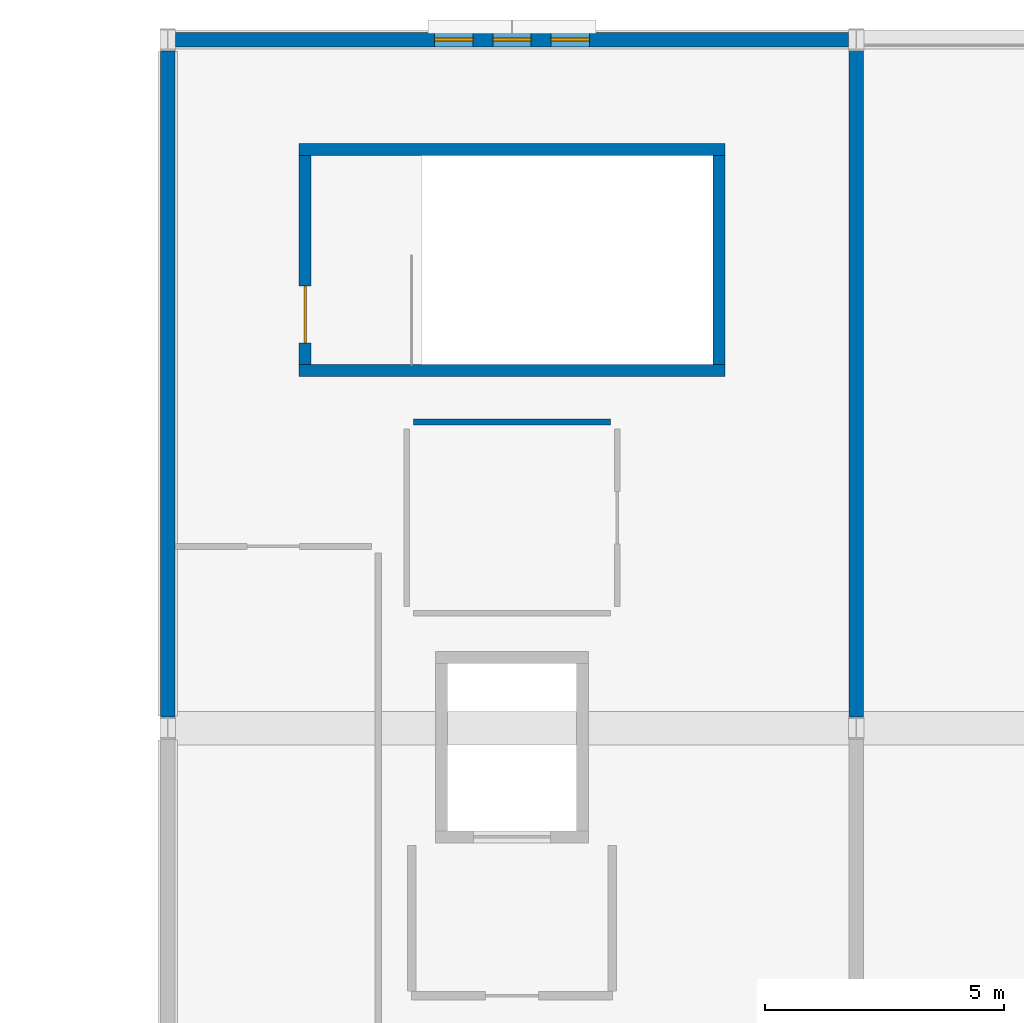
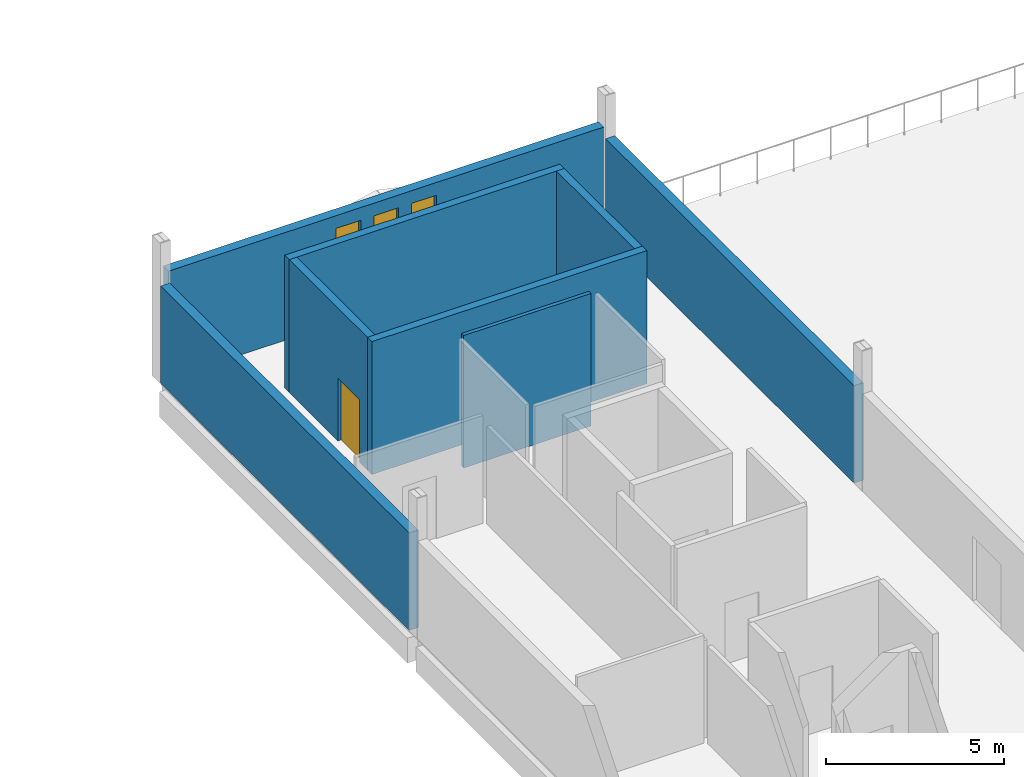
# One storey, part 97 of 116: 8 walls, 3 windows, 1 door, 4 openings.
"""IFC4 building model written with IfcOpenShell, lengths in metres."""

from ifc_helpers import new_model, si_unit, direction, frame, frame_2d, origin, place, context, subcontext, project, spatial, rectangle, extrude, material, layer, layer_set, type_object, element, fill, save


model = new_model("IFC4")

# Units and contexts
model_context = context("Model", 3, precision=1e-05, world=origin(), true_north=direction((0.0, 1.0)))
body_context = subcontext(model_context, "Body", "Model", "MODEL_VIEW")
ifc_project = project(units=[si_unit("LENGTHUNIT", "METRE"), si_unit("AREAUNIT", "SQUARE_METRE"), si_unit("VOLUMEUNIT", "CUBIC_METRE"), si_unit("PLANEANGLEUNIT", "RADIAN"), si_unit("MASSUNIT", "GRAM", prefix="KILO")], contexts=[model_context])

# Site, building, storey
site_placement = place(None, origin())
site = spatial("IfcSite", under=ifc_project, at=site_placement, CompositionType="ELEMENT")
building_placement = place(site_placement, origin())
building = spatial("IfcBuilding", under=site, at=building_placement, Name="Cendralis Lancet Convention Centre", CompositionType="ELEMENT")
storey_placement = place(building_placement, frame((0.0, 0.0, 15.0)))
storey = spatial("IfcBuildingStorey", under=building, at=storey_placement, Name="L03", CompositionType="ELEMENT", Elevation=15.0)

# Wall, openings, windows
ifc_material_1 = material(Name="Buff sandstone ashlar and Concrete G40 (C40/50)", Category="masonry")
ifc_layer_1 = layer(ifc_material_1, 0.300048828125, Name="Buff sandstone ashlar and Concrete G40 (C40/50)")
ifc_layer_set_1 = layer_set([ifc_layer_1], Name="Buff sandstone ashlar and Concrete G40 (C40/50)")
wall_type_1 = type_object("IfcWallType", Name="ARC-EW-W300", PredefinedType="STANDARD", material=ifc_layer_set_1)
wall_1_placement = place(storey_placement, frame((124.9580078125, 136.800048828125, 0.0), z_axis=(0.0, 0.0, 1.0), x_axis=(1.0, 0.0, 0.0)))
wall_1 = element("IfcWall", 1, at=wall_1_placement, inside=storey, type_object=wall_type_1, Name="L03 V3 Exterior Wall EW-07 #0169", PredefinedType="STANDARD", context=body_context, shape_type="SweptSolid", body=[
    extrude(rectangle(XDim=14.083984375, YDim=0.300048828125, at=frame_2d((7.0419921875, 0.0))), origin(), (0.0, 0.0, 1.0), 3.68505859375),
])
opening_1_placement = place(wall_1_placement, frame((5.422119140625, 0.0, 0.5)))
opening_1 = element("IfcOpeningElement", 2, at=opening_1_placement, cuts=wall_1, Name="Opening WN-07", PredefinedType="OPENING", context=body_context, shape_type="SweptSolid", body=[
    extrude(rectangle(XDim=0.800048828125, YDim=2.75, at=frame_2d((0.39990234375, 1.375))), frame((0.0, 0.159912109375, 0.0), z_axis=(0.0, -1.0, 0.0), x_axis=(1.0, 0.0, 0.0)), (0.0, 0.0, 1.0), 0.320068359375),
])
opening_2_placement = place(wall_1_placement, frame((6.64208984375, 0.0, 0.5)))
opening_2 = element("IfcOpeningElement", 3, at=opening_2_placement, cuts=wall_1, Name="Opening WN-07", PredefinedType="OPENING", context=body_context, shape_type="SweptSolid", body=[
    extrude(rectangle(XDim=0.800048828125, YDim=2.75, at=frame_2d((0.39990234375, 1.375))), frame((0.0, 0.159912109375, 0.0), z_axis=(0.0, -1.0, 0.0), x_axis=(1.0, 0.0, 0.0)), (0.0, 0.0, 1.0), 0.320068359375),
])
opening_3_placement = place(wall_1_placement, frame((7.862060546875, 0.0, 0.5)))
opening_3 = element("IfcOpeningElement", 4, at=opening_3_placement, cuts=wall_1, Name="Opening WN-07", PredefinedType="OPENING", context=body_context, shape_type="SweptSolid", body=[
    extrude(rectangle(XDim=0.800048828125, YDim=2.75, at=frame_2d((0.39990234375, 1.375))), frame((0.0, 0.159912109375, 0.0), z_axis=(0.0, -1.0, 0.0), x_axis=(1.0, 0.0, 0.0)), (0.0, 0.0, 1.0), 0.320068359375),
])
ifc_material_2 = material(Name="Double-glazed low-E solar-control glass", Category="glass")
window_type = type_object("IfcWindowType", Name="ARC-WN-LW07", PartitioningType="SINGLE_PANEL", PredefinedType="WINDOW", material=ifc_material_2)
window_1_placement = place(opening_1_placement, origin())
window_1 = element("IfcWindow", 5, at=window_1_placement, inside=storey, type_object=window_type, Name="Gothic Lancet Window WN-07 #0341", OverallHeight=2.75, OverallWidth=0.800048828125, PartitioningType="SINGLE_PANEL", PredefinedType="WINDOW", context=body_context, shape_type="SweptSolid", body=[
    extrude(rectangle(XDim=0.800048828125, YDim=2.75, at=frame_2d((0.39990234375, 1.375))), frame((0.0, 0.030029296875, 0.0), z_axis=(0.0, -1.0, 0.0), x_axis=(1.0, 0.0, 0.0)), (0.0, 0.0, 1.0), 0.06005859375),
])
fill(opening_1, window_1)
window_2_placement = place(opening_2_placement, origin())
window_2 = element("IfcWindow", 6, at=window_2_placement, inside=storey, type_object=window_type, Name="Gothic Lancet Window WN-07 #0342", OverallHeight=2.75, OverallWidth=0.800048828125, PartitioningType="SINGLE_PANEL", PredefinedType="WINDOW", context=body_context, shape_type="SweptSolid", body=[
    extrude(rectangle(XDim=0.800048828125, YDim=2.75, at=frame_2d((0.39990234375, 1.375))), frame((0.0, 0.030029296875, 0.0), z_axis=(0.0, -1.0, 0.0), x_axis=(1.0, 0.0, 0.0)), (0.0, 0.0, 1.0), 0.06005859375),
])
fill(opening_2, window_2)
window_3_placement = place(opening_3_placement, origin())
window_3 = element("IfcWindow", 7, at=window_3_placement, inside=storey, type_object=window_type, Name="Gothic Lancet Window WN-07 #0343", OverallHeight=2.75, OverallWidth=0.800048828125, PartitioningType="SINGLE_PANEL", PredefinedType="WINDOW", context=body_context, shape_type="SweptSolid", body=[
    extrude(rectangle(XDim=0.800048828125, YDim=2.75, at=frame_2d((0.39990234375, 1.375))), frame((0.0, 0.030029296875, 0.0), z_axis=(0.0, -1.0, 0.0), x_axis=(1.0, 0.0, 0.0)), (0.0, 0.0, 1.0), 0.06005859375),
])
fill(opening_3, window_3)

# Walls
for number, where, z_axis, x_axis, name in (
    (8, (124.800048828125, 122.633056640625, 0.0), (0.0, 0.0, 1.0), (0.0, 1.0, 0.0), "L03 V3 Exterior Wall EW-07 #0175"),
    (9, (139.199951171875, 136.56689453125, 0.0), (0.0, 0.0, 1.0), (0.0, -1.0, 0.0), "L03 V3 Exterior Wall EW-07 #0176"),
):
    element("IfcWall", number, at=place(storey_placement, frame(where, z_axis=z_axis, x_axis=x_axis)), inside=storey, type_object=wall_type_1, Name=name, PredefinedType="STANDARD", context=body_context, shape_type="SweptSolid", body=[
        extrude(rectangle(XDim=13.933837890625, YDim=0.300048828125, at=frame_2d((6.966796875, 0.0))), origin(), (0.0, 0.0, 1.0), 3.3349609375),
    ])
ifc_material_3 = material(Name="Acoustic fire-rated gypsum board on steel studs", Category="steel")
ifc_layer_2 = layer(ifc_material_3, 0.1201171875, Name="Acoustic fire-rated gypsum board on steel studs")
ifc_layer_set_2 = layer_set([ifc_layer_2], Name="Acoustic fire-rated gypsum board on steel studs")
wall_type_2 = type_object("IfcWallType", Name="ARC-IW-P120", PredefinedType="PARTITIONING", material=ifc_layer_set_2)
wall_2_placement = place(storey_placement, frame((129.93994140625, 128.800048828125, 0.0), z_axis=(0.0, 0.0, 1.0), x_axis=(1.0, 0.0, 0.0)))
element("IfcWall", 10, at=wall_2_placement, inside=storey, type_object=wall_type_2, Name="L03 Interior Partition IW-05 #0199", PredefinedType="PARTITIONING", context=body_context, shape_type="SweptSolid", body=[
    extrude(rectangle(XDim=4.1201171875, YDim=0.1201171875, at=frame_2d((2.06005859375, 0.0))), origin(), (0.0, 0.0, 1.0), 4.534912109375),
])

# Wall, opening, door
ifc_material_4 = material(Name="Concrete G40 (C40/50)", Category="concrete")
ifc_layer_3 = layer(ifc_material_4, 0.25, Name="Concrete G40 (C40/50)")
ifc_layer_set_3 = layer_set([ifc_layer_3], Name="Concrete G40 (C40/50)")
wall_type_3 = type_object("IfcWallType", Name="STR-SW-CW250", PredefinedType="SHEAR", material=ifc_layer_set_3)
wall_3_placement = place(storey_placement, frame((127.675048828125, 130.0, 0.0), z_axis=(0.0, 0.0, 1.0), x_axis=(0.0, 1.0, 0.0)))
wall_3 = element("IfcWall", 11, at=wall_3_placement, inside=storey, type_object=wall_type_3, Name="L03 Stair Core ST-05 West Shear Wall", PredefinedType="SHEAR", context=body_context, shape_type="SweptSolid", body=[
    extrude(rectangle(XDim=4.3798828125, YDim=0.25, at=frame_2d((2.18994140625, 0.0))), origin(), (0.0, 0.0, 1.0), 4.550048828125),
])
opening_4_placement = place(wall_3_placement, frame((0.449951171875, 0.0, 0.0)))
opening_4 = element("IfcOpeningElement", 12, at=opening_4_placement, cuts=wall_3, Name="Opening SD-12", PredefinedType="OPENING", context=body_context, shape_type="SweptSolid", body=[
    extrude(rectangle(XDim=1.199951171875, YDim=2.14990234375, at=frame_2d((0.60009765625, 1.074951171875))), frame((0.0, 0.135009765625, 0.0), z_axis=(0.0, -1.0, 0.0), x_axis=(1.0, 0.0, 0.0)), (0.0, 0.0, 1.0), 0.27001953125),
])
ifc_material_5 = material(Name="Steel S355", Category="steel")
door_type = type_object("IfcDoorType", Name="ARC-DR-ST12", OperationType="NOTDEFINED", PredefinedType="DOOR", material=ifc_material_5)
door_placement = place(opening_4_placement, frame((1.199951171875, 0.0, 0.0), z_axis=(0.0, 0.0, 1.0), x_axis=(-1.0, 0.0, 0.0)))
door = element("IfcDoor", 13, at=door_placement, inside=storey, type_object=door_type, Name="L03-D050 L03 Exit Stair ST-05 Fire Door", OperationType="SINGLE_SWING_LEFT", OverallHeight=2.14990234375, OverallWidth=1.199951171875, PredefinedType="DOOR", context=body_context, shape_type="SweptSolid", body=[
    extrude(rectangle(XDim=1.199951171875, YDim=2.14990234375, at=frame_2d((0.60009765625, 1.074951171875))), frame((0.0, 0.02490234375, 0.0), z_axis=(0.0, -1.0, 0.0), x_axis=(1.0, 0.0, 0.0)), (0.0, 0.0, 1.0), 0.050048828125),
])
fill(opening_4, door)

# Walls
wall_4_placement = place(storey_placement, frame((136.324951171875, 130.0, 0.0), z_axis=(0.0, 0.0, 1.0), x_axis=(0.0, 1.0, 0.0)))
element("IfcWall", 14, at=wall_4_placement, inside=storey, type_object=wall_type_3, Name="L03 Stair Core ST-05 East Shear Wall", PredefinedType="SHEAR", context=body_context, shape_type="SweptSolid", body=[
    extrude(rectangle(XDim=4.3798828125, YDim=0.25, at=frame_2d((2.18994140625, 0.0))), origin(), (0.0, 0.0, 1.0), 4.550048828125),
])
for number, where, z_axis, x_axis, name in (
    (15, (127.550048828125, 129.875, 0.0), (0.0, 0.0, 1.0), (1.0, 0.0, 0.0), "L03 Stair Core ST-05 South Shear Wall"),
    (16, (127.550048828125, 134.5048828125, 0.0), (0.0, 0.0, 1.0), (1.0, 0.0, 0.0), "L03 Stair Core ST-05 North Shear Wall"),
):
    element("IfcWall", number, at=place(storey_placement, frame(where, z_axis=z_axis, x_axis=x_axis)), inside=storey, type_object=wall_type_3, Name=name, PredefinedType="SHEAR", context=body_context, shape_type="SweptSolid", body=[
        extrude(rectangle(XDim=8.89990234375, YDim=0.25, at=frame_2d((4.449951171875, 0.0))), origin(), (0.0, 0.0, 1.0), 4.550048828125),
    ])

save(model, "model.ifc")
